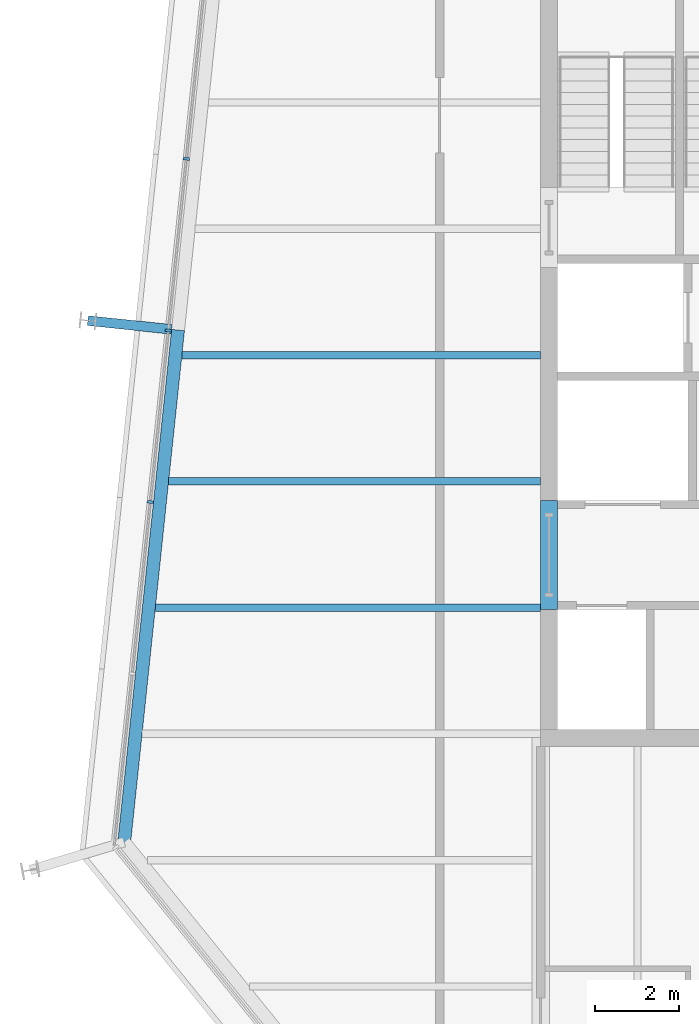
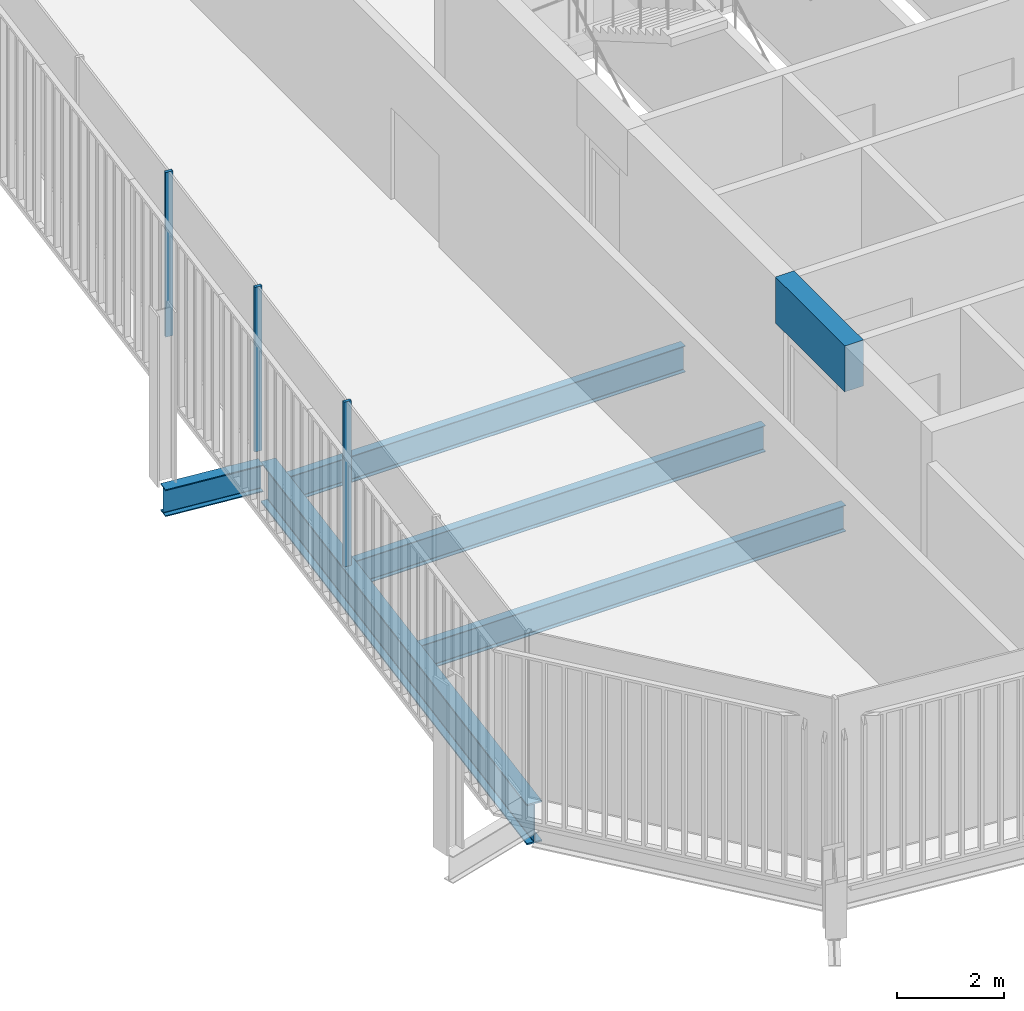
# One storey, part 6 of 19: 6 beams, 3 members, 1 element without a shape of its own.
"""IFC4 building model written with IfcOpenShell, lengths in metres."""

from ifc_helpers import new_model, si_unit, direction, frame, origin, origin_2d, place, context, subcontext, project, spatial, rectangle, i_section, extrude, material, layer, layer_set, material_profile, profile_set, type_object, element, aggregate, save


model = new_model("IFC4")

# Units and contexts
model_context = context("Model", 3, precision=1e-05, world=origin(), true_north=direction((0.0, 1.0)))
body_context = subcontext(model_context, "Body", "Model", "MODEL_VIEW")
ifc_project = project(units=[si_unit("LENGTHUNIT", "METRE"), si_unit("AREAUNIT", "SQUARE_METRE"), si_unit("VOLUMEUNIT", "CUBIC_METRE"), si_unit("PLANEANGLEUNIT", "RADIAN"), si_unit("MASSUNIT", "GRAM", prefix="KILO")], contexts=[model_context])

# Site, building, storey
site_placement = place(None, origin())
site = spatial("IfcSite", under=ifc_project, at=site_placement, CompositionType="ELEMENT")
building_placement = place(site_placement, origin())
building = spatial("IfcBuilding", under=site, at=building_placement, Name="Millrace Tower", CompositionType="ELEMENT")
storey_placement = place(building_placement, frame((0.0, 0.0, 338.199951171875)))
storey = spatial("IfcBuildingStorey", under=building, at=storey_placement, Name="L78", CompositionType="ELEMENT", Elevation=338.199951171875)

# Curtain wall, members
ifc_material_1 = material(Name="Aluminium and glass", Category="aluminium")
ifc_layer = layer(ifc_material_1, 0.14990234375)
ifc_layer_set = layer_set([ifc_layer], Name="Aluminium and glass")
curtain_wall_type = type_object("IfcCurtainWallType", Name="CW-1 office vision curtain wall", PredefinedType="NOTDEFINED", material=ifc_layer_set)
curtain_wall_placement = place(storey_placement, origin())
curtain_wall = element("IfcCurtainWall", 1, at=curtain_wall_placement, inside=storey, type_object=curtain_wall_type, Name="Curtain wall E-F08 L78", PredefinedType="NOTDEFINED")
ifc_material_2 = material(Name="Aluminium", Category="aluminium")
ifc_material_profile_1 = material_profile(ifc_material_2, rectangle(XDim=0.06494140625, YDim=0.14990234375, at=origin_2d()))
ifc_profile_set_1 = profile_set([ifc_material_profile_1], Name="Aluminium")
member_type = type_object("IfcMemberType", Name="CW-1 office vision curtain wall mullion", PredefinedType="MULLION", material=ifc_profile_set_1)
member_1_placement = place(storey_placement, frame((-22.717529296875, 4.664794921875, 0.14013671875), z_axis=(0.0, 0.0, 1.0), x_axis=(-0.104528455196, -0.994521896217, 0.0)))
member_1 = element("IfcMember", 2, at=member_1_placement, type_object=member_type, Name="CW1 mullion E-F08.6", PredefinedType="MULLION", context=body_context, shape_type="SweptSolid", body=[
    extrude(rectangle(XDim=0.06494140625, YDim=0.14990234375, at=origin_2d()), origin(), (0.0, 0.0, 1.0), 3.760009765625),
])
member_2_placement = place(storey_placement, frame((-23.146240234375, 0.587158203125, 0.14013671875), z_axis=(0.0, 0.0, 1.0), x_axis=(-0.104528455196, -0.994521896217, 0.0)))
member_2 = element("IfcMember", 3, at=member_2_placement, type_object=member_type, Name="CW1 mullion E-F08.7", PredefinedType="MULLION", context=body_context, shape_type="SweptSolid", body=[
    extrude(rectangle(XDim=0.06494140625, YDim=0.14990234375, at=origin_2d()), origin(), (0.0, 0.0, 1.0), 3.760009765625),
])
member_3_placement = place(storey_placement, frame((-23.57470703125, -3.490234375, 0.14013671875), z_axis=(0.0, 0.0, 1.0), x_axis=(-0.104528455196, -0.994521896217, 0.0)))
member_3 = element("IfcMember", 4, at=member_3_placement, type_object=member_type, Name="CW1 mullion E-F08.8", PredefinedType="MULLION", context=body_context, shape_type="SweptSolid", body=[
    extrude(rectangle(XDim=0.06494140625, YDim=0.14990234375, at=origin_2d()), origin(), (0.0, 0.0, 1.0), 3.760009765625),
])
aggregate(curtain_wall, [member_1, member_2, member_3])

# Beams
ifc_material_3 = material(Name="Concrete C60", Category="concrete")
ifc_material_profile_2 = material_profile(ifc_material_3, rectangle(XDim=0.39990234375, YDim=1.050048828125, at=origin_2d()))
ifc_profile_set_2 = profile_set([ifc_material_profile_2], Name="Concrete C60")
beam_type_1 = type_object("IfcBeamType", Name="Coupling beam 400 x 1050 Concrete C60, 2000 opening", PredefinedType="BEAM", material=ifc_profile_set_2)
beam_1_placement = place(storey_placement, frame((-14.10009765625, -6.050048828125, 2.925048828125), z_axis=(0.0, 1.0, 0.0), x_axis=(-1.0, 0.0, 0.0)))
element("IfcBeam", 5, at=beam_1_placement, inside=storey, type_object=beam_type_1, Name="Coupling beam W L78", PredefinedType="BEAM", context=body_context, shape_type="SweptSolid", body=[
    extrude(rectangle(XDim=0.39990234375, YDim=1.050048828125, at=origin_2d()), origin(), (0.0, 0.0, 1.0), 2.60009765625),
])
ifc_material_4 = material(Name="Steel ASTM A992 Grade 50", Category="steel")
ifc_material_profile_3 = material_profile(ifc_material_4, i_section(OverallWidth=0.177978515625, OverallDepth=0.599365234375, WebThickness=0.010009765625, FlangeThickness=0.012939453125, FilletRadius=0.012939453125, at=origin_2d()))
ifc_profile_set_3 = profile_set([ifc_material_profile_3], Name="Steel ASTM A992 Grade 50")
beam_type_2 = type_object("IfcBeamType", Name="Floor beam W24x55", PredefinedType="JOIST", material=ifc_profile_set_3)
beam_2_placement = place(storey_placement, frame((-23.4541015625, -6.0, -0.459716796875), z_axis=(1.0, 0.0, 0.0), x_axis=(0.0, 1.0, 0.0)))
element("IfcBeam", 6, at=beam_2_placement, inside=storey, type_object=beam_type_2, Name="BM-E-L78-S1-S009", PredefinedType="JOIST", context=body_context, shape_type="SweptSolid", body=[
    extrude(i_section(OverallWidth=0.177978515625, OverallDepth=0.599365234375, WebThickness=0.010009765625, FlangeThickness=0.012939453125, FilletRadius=0.012939453125, at=origin_2d()), origin(), (0.0, 0.0, 1.0), 9.154052734375),
])
beam_3_placement = place(storey_placement, frame((-23.138916015625, -3.0, -0.459716796875), z_axis=(1.0, 0.0, 0.0), x_axis=(0.0, 1.0, 0.0)))
element("IfcBeam", 7, at=beam_3_placement, inside=storey, type_object=beam_type_2, Name="BM-E-L78-S1-S012", PredefinedType="JOIST", context=body_context, shape_type="SweptSolid", body=[
    extrude(i_section(OverallWidth=0.177978515625, OverallDepth=0.599365234375, WebThickness=0.010009765625, FlangeThickness=0.012939453125, FilletRadius=0.012939453125, at=origin_2d()), origin(), (0.0, 0.0, 1.0), 8.8388671875),
])
beam_4_placement = place(storey_placement, frame((-22.823486328125, 0.0, -0.459716796875), z_axis=(1.0, 0.0, 0.0), x_axis=(0.0, 1.0, 0.0)))
element("IfcBeam", 8, at=beam_4_placement, inside=storey, type_object=beam_type_2, Name="BM-E-L78-S1-S015", PredefinedType="JOIST", context=body_context, shape_type="SweptSolid", body=[
    extrude(i_section(OverallWidth=0.177978515625, OverallDepth=0.599365234375, WebThickness=0.010009765625, FlangeThickness=0.012939453125, FilletRadius=0.012939453125, at=origin_2d()), origin(), (0.0, 0.0, 1.0), 8.5234375),
])
ifc_material_5 = material(Name="Steel ASTM A992 Grade 50", Category="steel")
ifc_material_profile_4 = material_profile(ifc_material_5, i_section(OverallWidth=0.23046875, OverallDepth=0.6171875, WebThickness=0.01318359375, FlangeThickness=0.022216796875, FilletRadius=0.012939453125, at=origin_2d()))
ifc_profile_set_4 = profile_set([ifc_material_profile_4], Name="Steel ASTM A992 Grade 50")
beam_type_3 = type_object("IfcBeamType", Name="Link beam W24x94", PredefinedType="BEAM", material=ifc_profile_set_4)
beam_5_placement = place(storey_placement, frame((-23.068115234375, 0.61181640625, -0.468505859375), z_axis=(-0.994526834051, 0.104481464157, 0.0), x_axis=(-0.104481464157, -0.994526834051, 0.0)))
element("IfcBeam", 9, at=beam_5_placement, inside=storey, type_object=beam_type_3, Name="LNK-E-L78-S1-02", PredefinedType="BEAM", context=body_context, shape_type="SweptSolid", body=[
    extrude(i_section(OverallWidth=0.23046875, OverallDepth=0.6171875, WebThickness=0.01318359375, FlangeThickness=0.022216796875, FilletRadius=0.012939453125, at=origin_2d()), origin(), (0.0, 0.0, 1.0), 2.000244140625),
])
ifc_material_6 = material(Name="Steel ASTM A992 Grade 50", Category="steel")
ifc_material_profile_5 = material_profile(ifc_material_6, i_section(OverallWidth=0.307373046875, OverallDepth=0.927001953125, WebThickness=0.01953125, FlangeThickness=0.031982421875, FilletRadius=0.01904296875, at=origin_2d()))
ifc_profile_set_5 = profile_set([ifc_material_profile_5], Name="Steel ASTM A992 Grade 50")
beam_type_4 = type_object("IfcBeamType", Name="Ring beam medium span W36x194", PredefinedType="SPANDREL", material=ifc_profile_set_5)
beam_6_placement = place(storey_placement, frame((-24.1943359375, -11.57373046875, -0.62353515625), z_axis=(0.104527955888, 0.994521948696, 0.0), x_axis=(-0.994521948696, 0.104527955888, 0.0)))
element("IfcBeam", 10, at=beam_6_placement, inside=storey, type_object=beam_type_4, Name="RNG-E-L78-S1-01", PredefinedType="SPANDREL", context=body_context, shape_type="SweptSolid", body=[
    extrude(i_section(OverallWidth=0.307373046875, OverallDepth=0.927001953125, WebThickness=0.01953125, FlangeThickness=0.031982421875, FilletRadius=0.01904296875, at=origin_2d()), origin(), (0.0, 0.0, 1.0), 12.236572265625),
])

save(model, "model.ifc")
